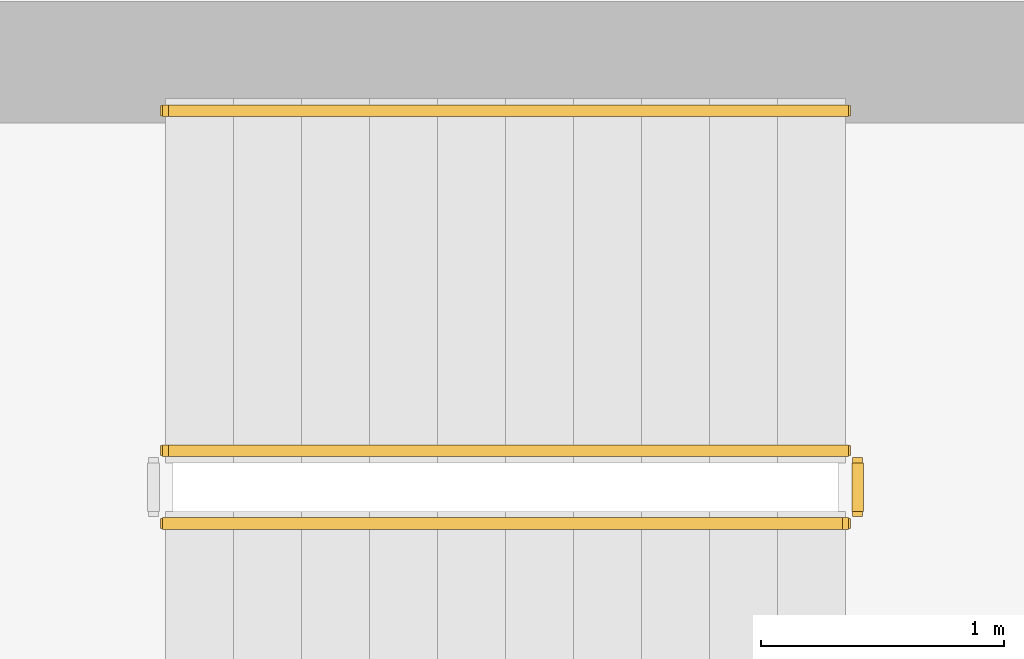
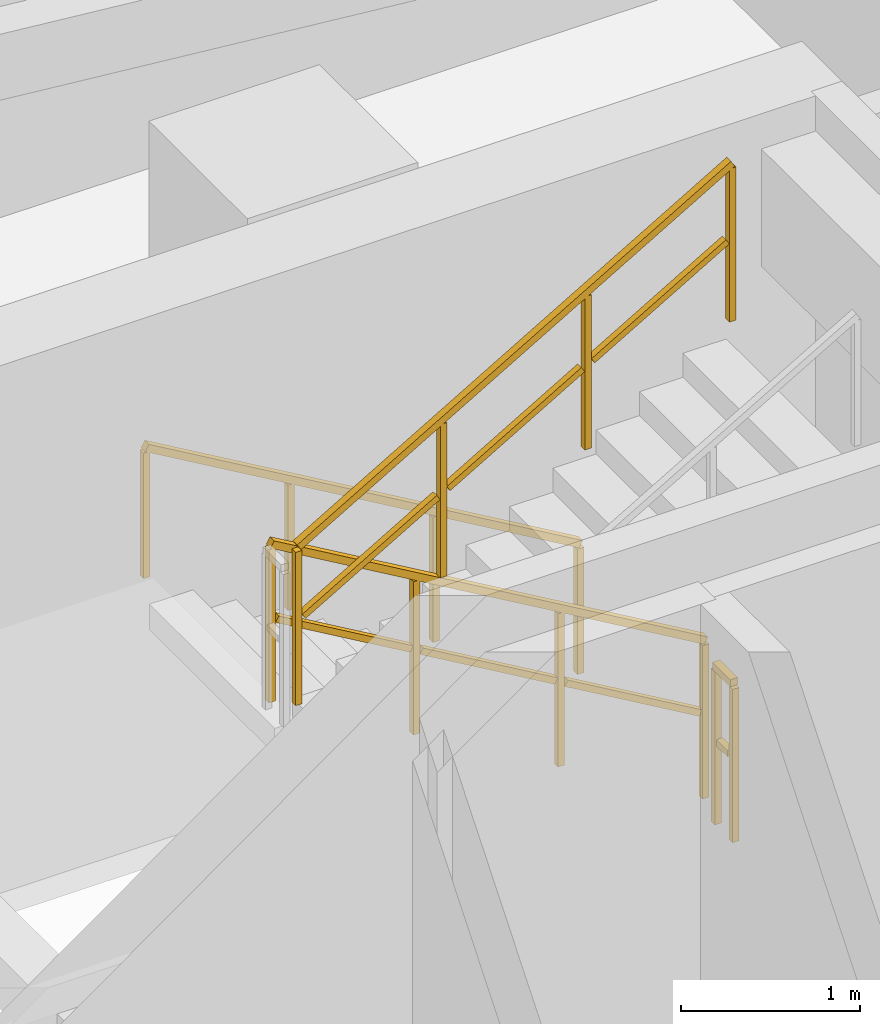
# One storey, part 31 of 33: 4 railings.
"""IFC4 building model written with IfcOpenShell, lengths in metres."""

from ifc_helpers import new_model, si_unit, direction, frame, origin, origin_2d, place, context, subcontext, project, spatial, rectangle, extrude, material, type_object, element, save


model = new_model("IFC4")

# Units and contexts
model_context = context("Model", 3, precision=1e-05, world=origin(), true_north=direction((0.0, 1.0)))
body_context = subcontext(model_context, "Body", "Model", "MODEL_VIEW")
ifc_project = project(units=[si_unit("LENGTHUNIT", "METRE"), si_unit("AREAUNIT", "SQUARE_METRE"), si_unit("VOLUMEUNIT", "CUBIC_METRE"), si_unit("PLANEANGLEUNIT", "RADIAN"), si_unit("MASSUNIT", "GRAM", prefix="KILO")], contexts=[model_context])

# Site, building, storey
site_placement = place(None, origin())
site = spatial("IfcSite", under=ifc_project, at=site_placement, CompositionType="ELEMENT")
building_placement = place(site_placement, origin())
building = spatial("IfcBuilding", under=site, at=building_placement, Name="Thornwick Lancets Civic Towers", CompositionType="ELEMENT")
storey_placement = place(building_placement, frame((0.0, 0.0, 159.89990234375)))
storey = spatial("IfcBuildingStorey", under=building, at=storey_placement, Name="L42", CompositionType="ELEMENT", Elevation=159.89990234375)

# Railings
ifc_material_1 = material(Name="Brushed stainless steel S355", Category="steel")
railing_type_1 = type_object("IfcRailingType", Name="RAIL_HANDRAIL", PredefinedType="HANDRAIL", material=ifc_material_1)
railing_1_placement = place(storey_placement, frame((31.60009765625, 38.949951171875, 0.163818359375)))
element("IfcRailing", 1, at=railing_1_placement, inside=storey, type_object=railing_type_1, Name="L42 ST-A2 stair handrail 1", PredefinedType="HANDRAIL", context=body_context, shape_type="SweptSolid", body=[
    extrude(rectangle(XDim=0.048095703125, YDim=0.048095703125, at=origin_2d()), frame((0.0, 0.0, 0.8857421875), z_axis=(-0.863393664356, 0.0, 0.504530851732), x_axis=(0.0, -1.0, 0.0)), (0.0, 0.0, 1.0), 3.2431640625),
    extrude(rectangle(XDim=0.0419921875, YDim=0.0419921875, at=origin_2d()), origin(), (0.0, 0.0, 1.0), 0.855712890625),
    extrude(rectangle(XDim=0.0419921875, YDim=0.0419921875, at=origin_2d()), frame((-0.933349609375, 0.0, 0.54541015625)), (0.0, 0.0, 1.0), 0.855712890625),
    extrude(rectangle(XDim=0.0419921875, YDim=0.0419921875, at=origin_2d()), frame((-1.86669921875, 0.0, 1.0908203125)), (0.0, 0.0, 1.0), 0.855712890625),
    extrude(rectangle(XDim=0.0419921875, YDim=0.0419921875, at=origin_2d()), frame((-2.800048828125, 0.0, 1.63623046875)), (0.0, 0.0, 1.0), 0.855712890625),
])
ifc_material_2 = material(Name="Steel S355JR", Category="steel")
railing_type_2 = type_object("IfcRailingType", Name="RAIL_STAIR_GUARD", PredefinedType="GUARDRAIL", material=ifc_material_2)
railing_2_placement = place(storey_placement, frame((31.60009765625, 37.550048828125, 0.163818359375)))
element("IfcRailing", 2, at=railing_2_placement, inside=storey, type_object=railing_type_2, Name="L42 ST-A2 stair guard 1", PredefinedType="GUARDRAIL", context=body_context, shape_type="SweptSolid", body=[
    extrude(rectangle(XDim=0.048095703125, YDim=0.048095703125, at=origin_2d()), frame((0.0, 0.0, 1.076171875), z_axis=(-0.863393664356, 0.0, 0.504530851732), x_axis=(0.0, -1.0, 0.0)), (0.0, 0.0, 1.0), 3.2431640625),
    extrude(rectangle(XDim=0.0419921875, YDim=0.0419921875, at=origin_2d()), frame((-0.032470703125, 0.0, 0.591064453125), z_axis=(-0.863393664356, 0.0, 0.504530851732), x_axis=(0.0, -1.0, 0.0)), (0.0, 0.0, 1.0), 1.006103515625),
    extrude(rectangle(XDim=0.0419921875, YDim=0.0419921875, at=origin_2d()), frame((-0.9658203125, 0.0, 1.136474609375), z_axis=(-0.863393664356, 0.0, 0.504530851732), x_axis=(0.0, -1.0, 0.0)), (0.0, 0.0, 1.0), 1.006103515625),
    extrude(rectangle(XDim=0.0419921875, YDim=0.0419921875, at=origin_2d()), frame((-1.899169921875, 0.0, 1.681884765625), z_axis=(-0.863393664356, 0.0, 0.504530851732), x_axis=(0.0, -1.0, 0.0)), (0.0, 0.0, 1.0), 1.006103515625),
    extrude(rectangle(XDim=0.0419921875, YDim=0.0419921875, at=origin_2d()), origin(), (0.0, 0.0, 1.0), 1.0458984375),
    extrude(rectangle(XDim=0.0419921875, YDim=0.0419921875, at=origin_2d()), frame((-0.933349609375, 0.0, 0.54541015625)), (0.0, 0.0, 1.0), 1.0458984375),
    extrude(rectangle(XDim=0.0419921875, YDim=0.0419921875, at=origin_2d()), frame((-1.86669921875, 0.0, 1.0908203125)), (0.0, 0.0, 1.0), 1.0458984375),
    extrude(rectangle(XDim=0.0419921875, YDim=0.0419921875, at=origin_2d()), frame((-2.800048828125, 0.0, 1.63623046875)), (0.0, 0.0, 1.0), 1.0458984375),
])
railing_3_placement = place(storey_placement, frame((28.800048828125, 37.25, 1.963623046875)))
element("IfcRailing", 3, at=railing_3_placement, inside=storey, type_object=railing_type_2, Name="L42 ST-A2 stair guard 3", PredefinedType="GUARDRAIL", context=body_context, shape_type="SweptSolid", body=[
    extrude(rectangle(XDim=0.048095703125, YDim=0.048095703125, at=origin_2d()), frame((0.0, 0.0, 1.076171875), z_axis=(0.863360870873, 0.0, 0.504586966384), x_axis=(0.0, 1.0, 0.0)), (0.0, 0.0, 1.0), 3.2431640625),
    extrude(rectangle(XDim=0.0419921875, YDim=0.0419921875, at=origin_2d()), frame((0.032470703125, 0.0, 0.591064453125), z_axis=(0.863360870873, 0.0, 0.504586966384), x_axis=(0.0, 1.0, 0.0)), (0.0, 0.0, 1.0), 1.006103515625),
    extrude(rectangle(XDim=0.0419921875, YDim=0.0419921875, at=origin_2d()), frame((0.9658203125, 0.0, 1.136474609375), z_axis=(0.863360870873, 0.0, 0.504586966384), x_axis=(0.0, 1.0, 0.0)), (0.0, 0.0, 1.0), 1.006103515625),
    extrude(rectangle(XDim=0.0419921875, YDim=0.0419921875, at=origin_2d()), frame((1.899169921875, 0.0, 1.681884765625), z_axis=(0.863360870873, 0.0, 0.504586966384), x_axis=(0.0, 1.0, 0.0)), (0.0, 0.0, 1.0), 1.006103515625),
    extrude(rectangle(XDim=0.0419921875, YDim=0.0419921875, at=origin_2d()), origin(), (0.0, 0.0, 1.0), 1.0458984375),
    extrude(rectangle(XDim=0.0419921875, YDim=0.0419921875, at=origin_2d()), frame((0.933349609375, 0.0, 0.54541015625)), (0.0, 0.0, 1.0), 1.0458984375),
    extrude(rectangle(XDim=0.0419921875, YDim=0.0419921875, at=origin_2d()), frame((1.86669921875, 0.0, 1.091064453125)), (0.0, 0.0, 1.0), 1.0458984375),
    extrude(rectangle(XDim=0.0419921875, YDim=0.0419921875, at=origin_2d()), frame((2.800048828125, 0.0, 1.636474609375)), (0.0, 0.0, 1.0), 1.0458984375),
])
railing_4_placement = place(storey_placement, frame((31.64990234375, 37.5, 0.0)))
element("IfcRailing", 4, at=railing_4_placement, inside=storey, type_object=railing_type_2, Name="L42 ST-A2 stair guard 4", PredefinedType="GUARDRAIL", context=body_context, shape_type="SweptSolid", body=[
    extrude(rectangle(XDim=0.048095703125, YDim=0.048095703125, at=origin_2d()), frame((0.0, 0.0, 1.076171875), z_axis=(0.0, -1.0, 0.0), x_axis=(1.0, 0.0, 0.0)), (0.0, 0.0, 1.0), 0.199951171875),
    extrude(rectangle(XDim=0.0419921875, YDim=0.0419921875, at=origin_2d()), frame((0.0, -0.03759765625, 0.572021484375), z_axis=(0.0, -1.0, 0.0), x_axis=(1.0, 0.0, 0.0)), (0.0, 0.0, 1.0), 0.125),
    extrude(rectangle(XDim=0.0419921875, YDim=0.0419921875, at=origin_2d()), origin(), (0.0, 0.0, 1.0), 1.0458984375),
    extrude(rectangle(XDim=0.0419921875, YDim=0.0419921875, at=origin_2d()), frame((0.0, -0.199951171875, 0.0)), (0.0, 0.0, 1.0), 1.0458984375),
])

save(model, "model.ifc")
